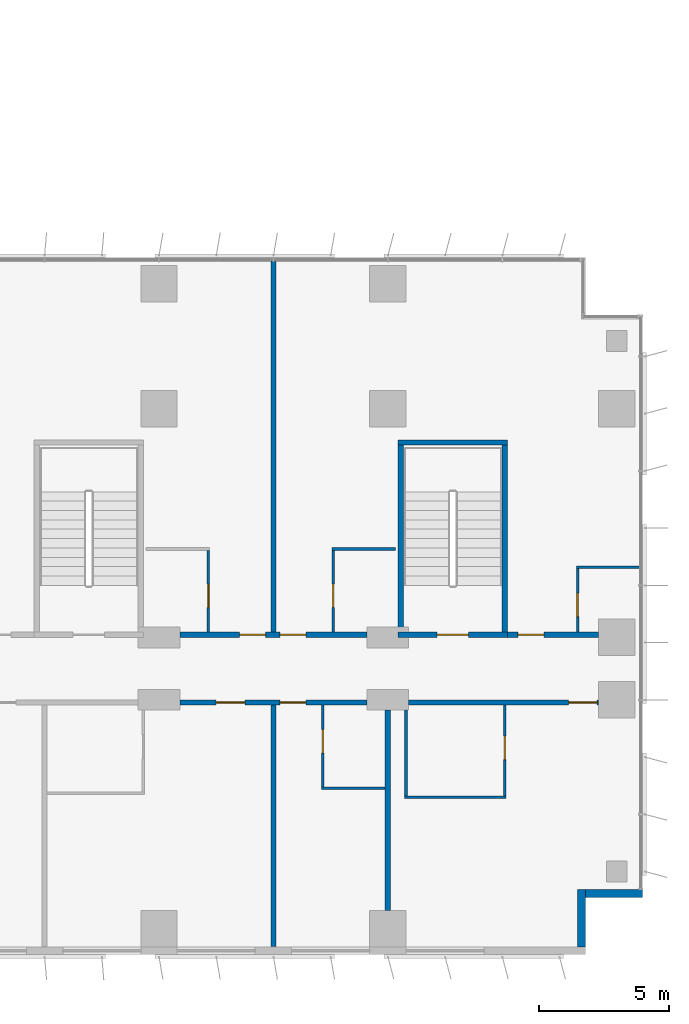
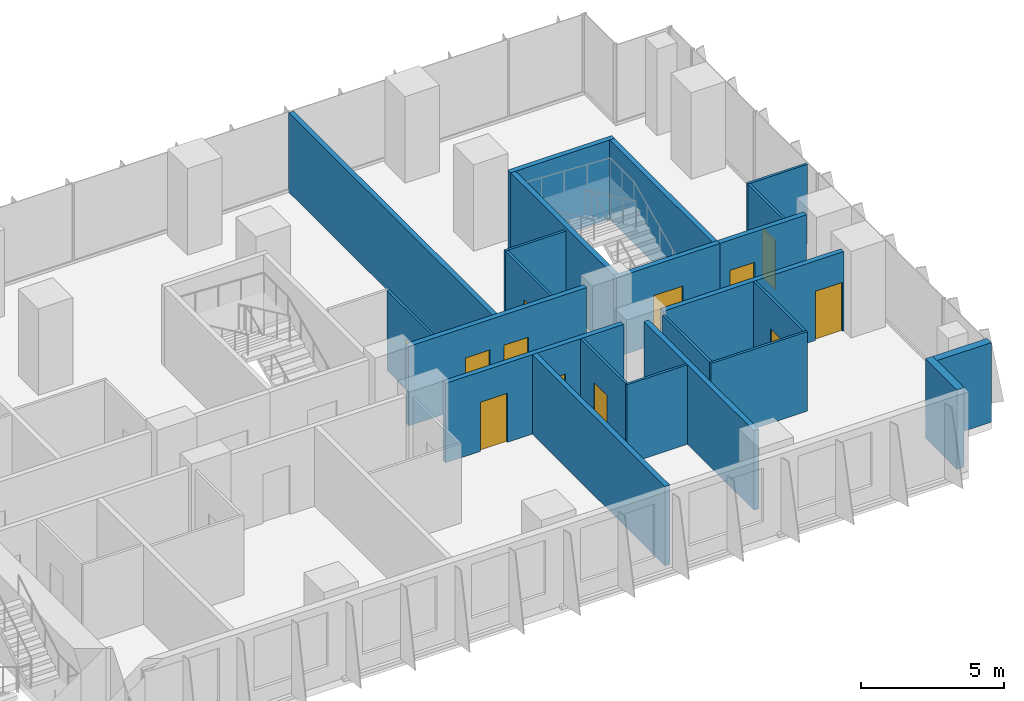
# One storey, part 18 of 24: 23 walls, 12 doors, 12 openings.
"""IFC4 building model written with IfcOpenShell, lengths in metres."""

from ifc_helpers import new_model, si_unit, direction, frame, frame_2d, origin, place, context, subcontext, project, spatial, rectangle, extrude, material, layer, layer_set, type_object, element, fill, save


model = new_model("IFC4")

# Units and contexts
model_context = context("Model", 3, precision=1e-05, world=origin(), true_north=direction((0.0, 1.0)))
body_context = subcontext(model_context, "Body", "Model", "MODEL_VIEW")
ifc_project = project(units=[si_unit("LENGTHUNIT", "METRE"), si_unit("AREAUNIT", "SQUARE_METRE"), si_unit("VOLUMEUNIT", "CUBIC_METRE"), si_unit("PLANEANGLEUNIT", "RADIAN"), si_unit("MASSUNIT", "GRAM", prefix="KILO")], contexts=[model_context])

# Site, building, storey
site_placement = place(None, origin())
site = spatial("IfcSite", under=ifc_project, at=site_placement, CompositionType="ELEMENT")
building_placement = place(site_placement, origin())
building = spatial("IfcBuilding", under=site, at=building_placement, Name="Kemantara Hotel Tower", CompositionType="ELEMENT")
storey_placement = place(building_placement, frame((0.0, 0.0, 59.89990234375)))
storey = spatial("IfcBuildingStorey", under=building, at=storey_placement, Name="L13", CompositionType="ELEMENT", Elevation=59.89990234375)

# Walls
ifc_material_1 = material(Name="Bronze anodised aluminium cladding on insulated steel stud wall", Category="steel")
ifc_layer_1 = layer(ifc_material_1, 0.300048828125)
ifc_layer_set_1 = layer_set([ifc_layer_1], Name="Bronze anodised aluminium cladding on insulated steel stud wall")
wall_type_1 = type_object("IfcWallType", Name="BRONZE METAL-CLAD EXTERNAL WALL 300", PredefinedType="STANDARD", material=ifc_layer_set_1)
for number, where, z_axis, x_axis, name in (
    (1, (78.85009765625, 0.300048828125, 0.0), (0.0, 0.0, 1.0), (0.0, 1.0, 0.0), "EXTERNAL WALL L13 T1-R02"),
    (2, (79.0, 2.35009765625, 0.0), (0.0, 0.0, 1.0), (1.0, 0.0, 0.0), "EXTERNAL WALL L13 T1-R03"),
):
    element("IfcWall", number, at=place(storey_placement, frame(where, z_axis=z_axis, x_axis=x_axis)), inside=storey, type_object=wall_type_1, Name=name, PredefinedType="STANDARD", context=body_context, shape_type="SweptSolid", body=[
        extrude(rectangle(XDim=2.199951171875, YDim=0.300048828125, at=frame_2d((1.10009765625, 0.0))), origin(), (0.0, 0.0, 1.0), 3.400146484375),
    ])

# Wall, openings, doors
ifc_material_2 = material(Name="Gypsum board partition, steel studs and mineral wool, 200 mm", Category="steel")
ifc_layer_2 = layer(ifc_material_2, 0.199951171875)
ifc_layer_set_2 = layer_set([ifc_layer_2], Name="Gypsum board partition, steel studs and mineral wool, 200 mm")
wall_type_2 = type_object("IfcWallType", Name="CORRIDOR WALL 200", PredefinedType="PARTITIONING", material=ifc_layer_set_2)
wall_1_placement = place(storey_placement, frame((70.599853515625, 9.699951171875, 0.0), z_axis=(0.0, 0.0, 1.0), x_axis=(-1.0, 0.0, 0.0)))
wall_1 = element("IfcWall", 3, at=wall_1_placement, inside=storey, type_object=wall_type_2, Name="CORRIDOR WALL 200 003", PredefinedType="PARTITIONING", context=body_context, shape_type="SweptSolid", body=[
    extrude(rectangle(XDim=7.19970703125, YDim=0.199951171875, at=frame_2d((3.599853515625, 0.0))), origin(), (0.0, 0.0, 1.0), 3.400146484375),
])
opening_1_placement = place(wall_1_placement, frame((4.699951171875, 0.0, 0.0)))
opening_1 = element("IfcOpeningElement", 4, at=opening_1_placement, cuts=wall_1, Name="Opening F04-005", PredefinedType="OPENING", context=body_context, shape_type="SweptSolid", body=[
    extrude(rectangle(XDim=1.10009765625, YDim=2.10009765625, at=frame_2d((0.550048828125, 1.050048828125))), frame((0.0, 0.10986328125, 0.0), z_axis=(0.0, -1.0, 0.0), x_axis=(1.0, 0.0, 0.0)), (0.0, 0.0, 1.0), 0.219970703125),
])
opening_2_placement = place(wall_1_placement, frame((2.349853515625, 0.0, 0.0)))
opening_2 = element("IfcOpeningElement", 5, at=opening_2_placement, cuts=wall_1, Name="Opening F04-007", PredefinedType="OPENING", context=body_context, shape_type="SweptSolid", body=[
    extrude(rectangle(XDim=1.0, YDim=2.10009765625, at=frame_2d((0.5, 1.050048828125))), frame((0.0, 0.10986328125, 0.0), z_axis=(0.0, -1.0, 0.0), x_axis=(1.0, 0.0, 0.0)), (0.0, 0.0, 1.0), 0.219970703125),
])
ifc_material_3 = material(Name="Hardwood veneer door leaf with steel frame", Category="steel")
door_type_1 = type_object("IfcDoorType", Name="GUEST ROOM DOOR 1000 X 2100 FD30S", OperationType="NOTDEFINED", PredefinedType="DOOR", material=ifc_material_3)
door_1_placement = place(opening_2_placement, origin())
door_1 = element("IfcDoor", 6, at=door_1_placement, inside=storey, type_object=door_type_1, Name="GUEST ROOM DOOR F04-007", OperationType="SINGLE_SWING_RIGHT", OverallHeight=2.10009765625, OverallWidth=1.0, PredefinedType="DOOR", context=body_context, shape_type="SweptSolid", body=[
    extrude(rectangle(XDim=1.0, YDim=2.10009765625, at=frame_2d((0.5, 1.050048828125))), frame((0.0, 0.02490234375, 0.0), z_axis=(0.0, -1.0, 0.0), x_axis=(1.0, 0.0, 0.0)), (0.0, 0.0, 1.0), 0.050048828125),
])
fill(opening_2, door_1)
door_type_2 = type_object("IfcDoorType", Name="SUITE ENTRANCE DOOR 1100 X 2100 FD30S", OperationType="NOTDEFINED", PredefinedType="DOOR", material=ifc_material_3)
door_2_placement = place(opening_1_placement, origin())
door_2 = element("IfcDoor", 7, at=door_2_placement, inside=storey, type_object=door_type_2, Name="SUITE ENTRANCE DOOR F04-005", OperationType="SINGLE_SWING_LEFT", OverallHeight=2.10009765625, OverallWidth=1.10009765625, PredefinedType="DOOR", context=body_context, shape_type="SweptSolid", body=[
    extrude(rectangle(XDim=1.10009765625, YDim=2.10009765625, at=frame_2d((0.550048828125, 1.050048828125))), frame((0.0, 0.02490234375, 0.0), z_axis=(0.0, -1.0, 0.0), x_axis=(1.0, 0.0, 0.0)), (0.0, 0.0, 1.0), 0.050048828125),
])
fill(opening_1, door_2)

# Wall, opening, door
wall_2_placement = place(storey_placement, frame((79.5, 9.699951171875, 0.0), z_axis=(0.0, 0.0, 1.0), x_axis=(-1.0, 0.0, 0.0)))
wall_2 = element("IfcWall", 8, at=wall_2_placement, inside=storey, type_object=wall_type_2, Name="CORRIDOR WALL 200 004", PredefinedType="PARTITIONING", context=body_context, shape_type="SweptSolid", body=[
    extrude(rectangle(XDim=7.2998046875, YDim=0.199951171875, at=frame_2d((3.64990234375, 0.0))), origin(), (0.0, 0.0, 1.0), 3.400146484375),
])
opening_3_placement = place(wall_2_placement, frame((0.0498046875, 0.0, 0.0)))
opening_3 = element("IfcOpeningElement", 9, at=opening_3_placement, cuts=wall_2, Name="Opening F04-009", PredefinedType="OPENING", context=body_context, shape_type="SweptSolid", body=[
    extrude(rectangle(XDim=1.10009765625, YDim=2.10009765625, at=frame_2d((0.550048828125, 1.050048828125))), frame((0.0, 0.10986328125, 0.0), z_axis=(0.0, -1.0, 0.0), x_axis=(1.0, 0.0, 0.0)), (0.0, 0.0, 1.0), 0.219970703125),
])
door_3_placement = place(opening_3_placement, origin())
door_3 = element("IfcDoor", 10, at=door_3_placement, inside=storey, type_object=door_type_2, Name="SUITE ENTRANCE DOOR F04-009", OperationType="SINGLE_SWING_LEFT", OverallHeight=2.10009765625, OverallWidth=1.10009765625, PredefinedType="DOOR", context=body_context, shape_type="SweptSolid", body=[
    extrude(rectangle(XDim=1.10009765625, YDim=2.10009765625, at=frame_2d((0.550048828125, 1.050048828125))), frame((0.0, 0.02490234375, 0.0), z_axis=(0.0, -1.0, 0.0), x_axis=(1.0, 0.0, 0.0)), (0.0, 0.0, 1.0), 0.050048828125),
])
fill(opening_3, door_3)

# Wall, openings, doors
wall_3_placement = place(storey_placement, frame((63.400146484375, 12.300048828125, 0.0), z_axis=(0.0, 0.0, 1.0), x_axis=(1.0, 0.0, 0.0)))
wall_3 = element("IfcWall", 11, at=wall_3_placement, inside=storey, type_object=wall_type_2, Name="CORRIDOR WALL 200 016", PredefinedType="PARTITIONING", context=body_context, shape_type="SweptSolid", body=[
    extrude(rectangle(XDim=7.19970703125, YDim=0.199951171875, at=frame_2d((3.599853515625, 0.0))), origin(), (0.0, 0.0, 1.0), 3.400146484375),
])
opening_4_placement = place(wall_3_placement, frame((2.2998046875, 0.0, 0.0)))
opening_4 = element("IfcOpeningElement", 12, at=opening_4_placement, cuts=wall_3, Name="Opening F04-023", PredefinedType="OPENING", context=body_context, shape_type="SweptSolid", body=[
    extrude(rectangle(XDim=1.0, YDim=2.10009765625, at=frame_2d((0.5, 1.050048828125))), frame((0.0, 0.10986328125, 0.0), z_axis=(0.0, -1.0, 0.0), x_axis=(1.0, 0.0, 0.0)), (0.0, 0.0, 1.0), 0.219970703125),
])
opening_5_placement = place(wall_3_placement, frame((3.849853515625, 0.0, 0.0)))
opening_5 = element("IfcOpeningElement", 13, at=opening_5_placement, cuts=wall_3, Name="Opening F04-025", PredefinedType="OPENING", context=body_context, shape_type="SweptSolid", body=[
    extrude(rectangle(XDim=1.0, YDim=2.10009765625, at=frame_2d((0.5, 1.050048828125))), frame((0.0, 0.10986328125, 0.0), z_axis=(0.0, -1.0, 0.0), x_axis=(1.0, 0.0, 0.0)), (0.0, 0.0, 1.0), 0.219970703125),
])
door_4_placement = place(opening_4_placement, origin())
door_4 = element("IfcDoor", 14, at=door_4_placement, inside=storey, type_object=door_type_1, Name="GUEST ROOM DOOR F04-023", OperationType="SINGLE_SWING_RIGHT", OverallHeight=2.10009765625, OverallWidth=1.0, PredefinedType="DOOR", context=body_context, shape_type="SweptSolid", body=[
    extrude(rectangle(XDim=1.0, YDim=2.10009765625, at=frame_2d((0.5, 1.050048828125))), frame((0.0, 0.02490234375, 0.0), z_axis=(0.0, -1.0, 0.0), x_axis=(1.0, 0.0, 0.0)), (0.0, 0.0, 1.0), 0.050048828125),
])
fill(opening_4, door_4)
door_5_placement = place(opening_5_placement, origin())
door_5 = element("IfcDoor", 15, at=door_5_placement, inside=storey, type_object=door_type_1, Name="GUEST ROOM DOOR F04-025", OperationType="SINGLE_SWING_LEFT", OverallHeight=2.10009765625, OverallWidth=1.0, PredefinedType="DOOR", context=body_context, shape_type="SweptSolid", body=[
    extrude(rectangle(XDim=1.0, YDim=2.10009765625, at=frame_2d((0.5, 1.050048828125))), frame((0.0, 0.02490234375, 0.0), z_axis=(0.0, -1.0, 0.0), x_axis=(1.0, 0.0, 0.0)), (0.0, 0.0, 1.0), 0.050048828125),
])
fill(opening_5, door_5)

# Wall, opening, door
wall_4_placement = place(storey_placement, frame((76.0, 12.300048828125, 0.0), z_axis=(0.0, 0.0, 1.0), x_axis=(1.0, 0.0, 0.0)))
wall_4 = element("IfcWall", 16, at=wall_4_placement, inside=storey, type_object=wall_type_2, Name="CORRIDOR WALL 200 017", PredefinedType="PARTITIONING", context=body_context, shape_type="SweptSolid", body=[
    extrude(rectangle(XDim=3.5, YDim=0.199951171875, at=frame_2d((1.75, 0.0))), origin(), (0.0, 0.0, 1.0), 3.400146484375),
])
opening_6_placement = place(wall_4_placement, frame((0.39990234375, 0.0, 0.0)))
opening_6 = element("IfcOpeningElement", 17, at=opening_6_placement, cuts=wall_4, Name="Opening F04-027", PredefinedType="OPENING", context=body_context, shape_type="SweptSolid", body=[
    extrude(rectangle(XDim=1.0, YDim=2.10009765625, at=frame_2d((0.5, 1.050048828125))), frame((0.0, 0.10986328125, 0.0), z_axis=(0.0, -1.0, 0.0), x_axis=(1.0, 0.0, 0.0)), (0.0, 0.0, 1.0), 0.219970703125),
])
door_6_placement = place(opening_6_placement, origin())
door_6 = element("IfcDoor", 18, at=door_6_placement, inside=storey, type_object=door_type_1, Name="GUEST ROOM DOOR F04-027", OperationType="SINGLE_SWING_LEFT", OverallHeight=2.10009765625, OverallWidth=1.0, PredefinedType="DOOR", context=body_context, shape_type="SweptSolid", body=[
    extrude(rectangle(XDim=1.0, YDim=2.10009765625, at=frame_2d((0.5, 1.050048828125))), frame((0.0, 0.02490234375, 0.0), z_axis=(0.0, -1.0, 0.0), x_axis=(1.0, 0.0, 0.0)), (0.0, 0.0, 1.0), 0.050048828125),
])
fill(opening_6, door_6)

ifc_material_4 = material(Name="Concrete fc 40 MPa", Category="concrete")
ifc_layer_3 = layer(ifc_material_4, 0.199951171875)
ifc_layer_set_3 = layer_set([ifc_layer_3], Name="Concrete fc 40 MPa")
wall_type_3 = type_object("IfcWallType", Name="Concrete stair wall 200 mm", PredefinedType="SHEAR", material=ifc_layer_set_3)
wall_5_placement = place(storey_placement, frame((71.800048828125, 12.300048828125, 0.0), z_axis=(0.0, 0.0, 1.0), x_axis=(1.0, 0.0, 0.0)))
wall_5 = element("IfcWall", 19, at=wall_5_placement, inside=storey, type_object=wall_type_3, Name="Stair ST5 enclosure wall with door", PredefinedType="SHEAR", context=body_context, shape_type="SweptSolid", body=[
    extrude(rectangle(XDim=4.199951171875, YDim=0.199951171875, at=frame_2d((2.10009765625, 0.0))), origin(), (0.0, 0.0, 1.0), 3.400146484375),
])
opening_7_placement = place(wall_5_placement, frame((1.5, 0.0, 0.0)))
opening_7 = element("IfcOpeningElement", 20, at=opening_7_placement, cuts=wall_5, Name="Opening ST5-C", PredefinedType="OPENING", context=body_context, shape_type="SweptSolid", body=[
    extrude(rectangle(XDim=1.199951171875, YDim=2.10009765625, at=frame_2d((0.60009765625, 1.050048828125))), frame((0.0, 0.10986328125, 0.0), z_axis=(0.0, -1.0, 0.0), x_axis=(1.0, 0.0, 0.0)), (0.0, 0.0, 1.0), 0.219970703125),
])
ifc_material_5 = material(Name="Steel fire door", Category="steel")
door_type_3 = type_object("IfcDoorType", Name="Fire door FD90 1200 x 2100", OperationType="NOTDEFINED", PredefinedType="DOOR", material=ifc_material_5)
door_7_placement = place(opening_7_placement, origin())
door_7 = element("IfcDoor", 21, at=door_7_placement, inside=storey, type_object=door_type_3, Name="Stair ST5 door", OperationType="SINGLE_SWING_RIGHT", OverallHeight=2.10009765625, OverallWidth=1.199951171875, PredefinedType="DOOR", context=body_context, shape_type="SweptSolid", body=[
    extrude(rectangle(XDim=1.199951171875, YDim=2.10009765625, at=frame_2d((0.60009765625, 1.050048828125))), frame((0.0, 0.02490234375, 0.0), z_axis=(0.0, -1.0, 0.0), x_axis=(1.0, 0.0, 0.0)), (0.0, 0.0, 1.0), 0.050048828125),
])
fill(opening_7, door_7)

# Walls
wall_6_placement = place(storey_placement, frame((71.800048828125, 19.699951171875, 0.0), z_axis=(0.0, 0.0, 1.0), x_axis=(1.0, 0.0, 0.0)))
element("IfcWall", 22, at=wall_6_placement, inside=storey, type_object=wall_type_3, Name="Stair ST5 enclosure wall N", PredefinedType="SHEAR", context=body_context, shape_type="SweptSolid", body=[
    extrude(rectangle(XDim=4.199951171875, YDim=0.199951171875, at=frame_2d((2.10009765625, 0.0))), origin(), (0.0, 0.0, 1.0), 3.400146484375),
])
for number, where, z_axis, x_axis, name in (
    (23, (71.89990234375, 12.39990234375, 0.0), (0.0, 0.0, 1.0), (0.0, 1.0, 0.0), "Stair ST5 enclosure wall W"),
    (24, (75.89990234375, 12.39990234375, 0.0), (0.0, 0.0, 1.0), (0.0, 1.0, 0.0), "Stair ST5 enclosure wall E"),
):
    element("IfcWall", number, at=place(storey_placement, frame(where, z_axis=z_axis, x_axis=x_axis)), inside=storey, type_object=wall_type_3, Name=name, PredefinedType="SHEAR", context=body_context, shape_type="SweptSolid", body=[
        extrude(rectangle(XDim=7.2001953125, YDim=0.199951171875, at=frame_2d((3.60009765625, 0.0))), origin(), (0.0, 0.0, 1.0), 3.400146484375),
    ])
ifc_layer_4 = layer(ifc_material_2, 0.199951171875)
ifc_layer_set_4 = layer_set([ifc_layer_4], Name="Gypsum board partition, steel studs and mineral wool, 200 mm")
wall_type_4 = type_object("IfcWallType", Name="GUEST ROOM PARTY WALL 200", PredefinedType="PARTITIONING", material=ifc_layer_set_4)
wall_7_placement = place(storey_placement, frame((67.0, 0.31005859375, 0.0), z_axis=(0.0, 0.0, 1.0), x_axis=(0.0, 1.0, 0.0)))
element("IfcWall", 25, at=wall_7_placement, inside=storey, type_object=wall_type_4, Name="GUEST ROOM PARTY WALL 200 008", PredefinedType="PARTITIONING", context=body_context, shape_type="SweptSolid", body=[
    extrude(rectangle(XDim=9.2900390625, YDim=0.199951171875, at=frame_2d((4.64501953125, 0.0))), origin(), (0.0, 0.0, 1.0), 3.400146484375),
])
wall_8_placement = place(storey_placement, frame((67.0, 12.39990234375, 0.0), z_axis=(0.0, 0.0, 1.0), x_axis=(0.0, 1.0, 0.0)))
element("IfcWall", 26, at=wall_8_placement, inside=storey, type_object=wall_type_4, Name="GUEST ROOM PARTY WALL 200 009", PredefinedType="PARTITIONING", context=body_context, shape_type="SweptSolid", body=[
    extrude(rectangle(XDim=14.27001953125, YDim=0.199951171875, at=frame_2d((7.135009765625, 0.0))), origin(), (0.0, 0.0, 1.0), 3.400146484375),
])
wall_9_placement = place(storey_placement, frame((71.39990234375, 1.7001953125, 0.0), z_axis=(0.0, 0.0, 1.0), x_axis=(0.0, 1.0, 0.0)))
element("IfcWall", 27, at=wall_9_placement, inside=storey, type_object=wall_type_4, Name="GUEST ROOM PARTY WALL 200 010", PredefinedType="PARTITIONING", context=body_context, shape_type="SweptSolid", body=[
    extrude(rectangle(XDim=7.69970703125, YDim=0.199951171875, at=frame_2d((3.849853515625, 0.0))), origin(), (0.0, 0.0, 1.0), 3.400146484375),
])
ifc_material_6 = material(Name="Gypsum board partition on steel studs, 100 mm", Category="steel")
ifc_layer_5 = layer(ifc_material_6, 0.10009765625)
ifc_layer_set_5 = layer_set([ifc_layer_5], Name="Gypsum board partition on steel studs, 100 mm")
wall_type_5 = type_object("IfcWallType", Name="ROOM PARTITION 100", PredefinedType="PARTITIONING", material=ifc_layer_set_5)
wall_10_placement = place(storey_placement, frame((68.85009765625, 6.39990234375, 0.0), z_axis=(0.0, 0.0, 1.0), x_axis=(1.0, 0.0, 0.0)))
element("IfcWall", 28, at=wall_10_placement, inside=storey, type_object=wall_type_5, Name="ROOM PARTITION 100 066", PredefinedType="PARTITIONING", context=body_context, shape_type="SweptSolid", body=[
    extrude(rectangle(XDim=2.449951171875, YDim=0.10009765625, at=frame_2d((1.22509765625, 0.0))), origin(), (0.0, 0.0, 1.0), 3.400146484375),
])

# Wall, opening, door
wall_11_placement = place(storey_placement, frame((68.89990234375, 9.60009765625, 0.0), z_axis=(0.0, 0.0, 1.0), x_axis=(0.0, -1.0, 0.0)))
wall_11 = element("IfcWall", 29, at=wall_11_placement, inside=storey, type_object=wall_type_5, Name="ROOM PARTITION 100 073", PredefinedType="PARTITIONING", context=body_context, shape_type="SweptSolid", body=[
    extrude(rectangle(XDim=3.150146484375, YDim=0.10009765625, at=frame_2d((1.5751953125, 0.0))), origin(), (0.0, 0.0, 1.0), 3.400146484375),
])
opening_8_placement = place(wall_11_placement, frame((0.949951171875, 0.0, 0.0)))
opening_8 = element("IfcOpeningElement", 30, at=opening_8_placement, cuts=wall_11, Name="Opening F04-008", PredefinedType="OPENING", context=body_context, shape_type="SweptSolid", body=[
    extrude(rectangle(XDim=0.89990234375, YDim=2.10009765625, at=frame_2d((0.449951171875, 1.050048828125))), frame((0.0, 0.06005859375, 0.0), z_axis=(0.0, -1.0, 0.0), x_axis=(1.0, 0.0, 0.0)), (0.0, 0.0, 1.0), 0.1201171875),
])
door_type_4 = type_object("IfcDoorType", Name="BATHROOM DOOR 900 X 2100", OperationType="NOTDEFINED", PredefinedType="DOOR", material=ifc_material_3)
door_8_placement = place(opening_8_placement, origin())
door_8 = element("IfcDoor", 31, at=door_8_placement, inside=storey, type_object=door_type_4, Name="BATHROOM DOOR F04-008", OperationType="SINGLE_SWING_LEFT", OverallHeight=2.10009765625, OverallWidth=0.89990234375, PredefinedType="DOOR", context=body_context, shape_type="SweptSolid", body=[
    extrude(rectangle(XDim=0.89990234375, YDim=2.10009765625, at=frame_2d((0.449951171875, 1.050048828125))), frame((0.0, 0.02490234375, 0.0), z_axis=(0.0, -1.0, 0.0), x_axis=(1.0, 0.0, 0.0)), (0.0, 0.0, 1.0), 0.050048828125),
])
fill(opening_8, door_8)

# Walls
wall_12_placement = place(storey_placement, frame((72.050048828125, 6.050048828125, 0.0), z_axis=(0.0, 0.0, 1.0), x_axis=(1.0, 0.0, 0.0)))
element("IfcWall", 32, at=wall_12_placement, inside=storey, type_object=wall_type_5, Name="ROOM PARTITION 100 074", PredefinedType="PARTITIONING", context=body_context, shape_type="SweptSolid", body=[
    extrude(rectangle(XDim=3.89990234375, YDim=0.10009765625, at=frame_2d((1.949951171875, 0.0))), origin(), (0.0, 0.0, 1.0), 3.400146484375),
])
wall_13_placement = place(storey_placement, frame((72.10009765625, 6.10009765625, 0.0), z_axis=(0.0, 0.0, 1.0), x_axis=(0.0, 1.0, 0.0)))
element("IfcWall", 33, at=wall_13_placement, inside=storey, type_object=wall_type_5, Name="ROOM PARTITION 100 075", PredefinedType="PARTITIONING", context=body_context, shape_type="SweptSolid", body=[
    extrude(rectangle(XDim=3.2998046875, YDim=0.10009765625, at=frame_2d((1.64990234375, 0.0))), origin(), (0.0, 0.0, 1.0), 3.400146484375),
])

# Wall, opening, door
wall_14_placement = place(storey_placement, frame((75.89990234375, 6.10009765625, 0.0), z_axis=(0.0, 0.0, 1.0), x_axis=(0.0, 1.0, 0.0)))
wall_14 = element("IfcWall", 34, at=wall_14_placement, inside=storey, type_object=wall_type_5, Name="ROOM PARTITION 100 076", PredefinedType="PARTITIONING", context=body_context, shape_type="SweptSolid", body=[
    extrude(rectangle(XDim=3.5, YDim=0.10009765625, at=frame_2d((1.75, 0.0))), origin(), (0.0, 0.0, 1.0), 3.400146484375),
])
opening_9_placement = place(wall_14_placement, frame((1.39990234375, 0.0, 0.0)))
opening_9 = element("IfcOpeningElement", 35, at=opening_9_placement, cuts=wall_14, Name="Opening F04-010", PredefinedType="OPENING", context=body_context, shape_type="SweptSolid", body=[
    extrude(rectangle(XDim=0.89990234375, YDim=2.10009765625, at=frame_2d((0.449951171875, 1.050048828125))), frame((0.0, 0.06005859375, 0.0), z_axis=(0.0, -1.0, 0.0), x_axis=(1.0, 0.0, 0.0)), (0.0, 0.0, 1.0), 0.1201171875),
])
door_9_placement = place(opening_9_placement, origin())
door_9 = element("IfcDoor", 36, at=door_9_placement, inside=storey, type_object=door_type_4, Name="BATHROOM DOOR F04-010", OperationType="SINGLE_SWING_RIGHT", OverallHeight=2.10009765625, OverallWidth=0.89990234375, PredefinedType="DOOR", context=body_context, shape_type="SweptSolid", body=[
    extrude(rectangle(XDim=0.89990234375, YDim=2.10009765625, at=frame_2d((0.449951171875, 1.050048828125))), frame((0.0, 0.02490234375, 0.0), z_axis=(0.0, -1.0, 0.0), x_axis=(1.0, 0.0, 0.0)), (0.0, 0.0, 1.0), 0.050048828125),
])
fill(opening_9, door_9)

# Wall
wall_15_placement = place(storey_placement, frame((69.25, 15.60009765625, 0.0), z_axis=(0.0, 0.0, 1.0), x_axis=(1.0, 0.0, 0.0)))
element("IfcWall", 37, at=wall_15_placement, inside=storey, type_object=wall_type_5, Name="ROOM PARTITION 100 084", PredefinedType="PARTITIONING", context=body_context, shape_type="SweptSolid", body=[
    extrude(rectangle(XDim=2.449951171875, YDim=0.10009765625, at=frame_2d((1.22509765625, 0.0))), origin(), (0.0, 0.0, 1.0), 3.400146484375),
])

# Wall, opening, door
wall_16_placement = place(storey_placement, frame((64.5, 12.39990234375, 0.0), z_axis=(0.0, 0.0, 1.0), x_axis=(0.0, 1.0, 0.0)))
wall_16 = element("IfcWall", 38, at=wall_16_placement, inside=storey, type_object=wall_type_5, Name="ROOM PARTITION 100 090", PredefinedType="PARTITIONING", context=body_context, shape_type="SweptSolid", body=[
    extrude(rectangle(XDim=3.150146484375, YDim=0.10009765625, at=frame_2d((1.5751953125, 0.0))), origin(), (0.0, 0.0, 1.0), 3.400146484375),
])
opening_10_placement = place(wall_16_placement, frame((0.949951171875, 0.0, 0.0)))
opening_10 = element("IfcOpeningElement", 39, at=opening_10_placement, cuts=wall_16, Name="Opening F04-024", PredefinedType="OPENING", context=body_context, shape_type="SweptSolid", body=[
    extrude(rectangle(XDim=0.89990234375, YDim=2.10009765625, at=frame_2d((0.449951171875, 1.050048828125))), frame((0.0, 0.06005859375, 0.0), z_axis=(0.0, -1.0, 0.0), x_axis=(1.0, 0.0, 0.0)), (0.0, 0.0, 1.0), 0.1201171875),
])
door_10_placement = place(opening_10_placement, origin())
door_10 = element("IfcDoor", 40, at=door_10_placement, inside=storey, type_object=door_type_4, Name="BATHROOM DOOR F04-024", OperationType="SINGLE_SWING_LEFT", OverallHeight=2.10009765625, OverallWidth=0.89990234375, PredefinedType="DOOR", context=body_context, shape_type="SweptSolid", body=[
    extrude(rectangle(XDim=0.89990234375, YDim=2.10009765625, at=frame_2d((0.449951171875, 1.050048828125))), frame((0.0, 0.02490234375, 0.0), z_axis=(0.0, -1.0, 0.0), x_axis=(1.0, 0.0, 0.0)), (0.0, 0.0, 1.0), 0.050048828125),
])
fill(opening_10, door_10)

wall_17_placement = place(storey_placement, frame((69.300048828125, 15.550048828125, 0.0), z_axis=(0.0, 0.0, 1.0), x_axis=(0.0, -1.0, 0.0)))
wall_17 = element("IfcWall", 41, at=wall_17_placement, inside=storey, type_object=wall_type_5, Name="ROOM PARTITION 100 091", PredefinedType="PARTITIONING", context=body_context, shape_type="SweptSolid", body=[
    extrude(rectangle(XDim=3.150146484375, YDim=0.10009765625, at=frame_2d((1.5751953125, 0.0))), origin(), (0.0, 0.0, 1.0), 3.400146484375),
])
opening_11_placement = place(wall_17_placement, frame((1.300048828125, 0.0, 0.0)))
opening_11 = element("IfcOpeningElement", 42, at=opening_11_placement, cuts=wall_17, Name="Opening F04-026", PredefinedType="OPENING", context=body_context, shape_type="SweptSolid", body=[
    extrude(rectangle(XDim=0.89990234375, YDim=2.10009765625, at=frame_2d((0.449951171875, 1.050048828125))), frame((0.0, 0.06005859375, 0.0), z_axis=(0.0, -1.0, 0.0), x_axis=(1.0, 0.0, 0.0)), (0.0, 0.0, 1.0), 0.1201171875),
])
door_11_placement = place(opening_11_placement, origin())
door_11 = element("IfcDoor", 43, at=door_11_placement, inside=storey, type_object=door_type_4, Name="BATHROOM DOOR F04-026", OperationType="SINGLE_SWING_RIGHT", OverallHeight=2.10009765625, OverallWidth=0.89990234375, PredefinedType="DOOR", context=body_context, shape_type="SweptSolid", body=[
    extrude(rectangle(XDim=0.89990234375, YDim=2.10009765625, at=frame_2d((0.449951171875, 1.050048828125))), frame((0.0, 0.02490234375, 0.0), z_axis=(0.0, -1.0, 0.0), x_axis=(1.0, 0.0, 0.0)), (0.0, 0.0, 1.0), 0.050048828125),
])
fill(opening_11, door_11)

# Wall
wall_18_placement = place(storey_placement, frame((78.64990234375, 14.89990234375, 0.0), z_axis=(0.0, 0.0, 1.0), x_axis=(1.0, 0.0, 0.0)))
element("IfcWall", 44, at=wall_18_placement, inside=storey, type_object=wall_type_5, Name="ROOM PARTITION 100 092", PredefinedType="PARTITIONING", context=body_context, shape_type="SweptSolid", body=[
    extrude(rectangle(XDim=2.420166015625, YDim=0.10009765625, at=frame_2d((1.2099609375, 0.0))), origin(), (0.0, 0.0, 1.0), 3.400146484375),
])

# Wall, opening, door
wall_19_placement = place(storey_placement, frame((78.699951171875, 14.85009765625, 0.0), z_axis=(0.0, 0.0, 1.0), x_axis=(0.0, -1.0, 0.0)))
wall_19 = element("IfcWall", 45, at=wall_19_placement, inside=storey, type_object=wall_type_5, Name="ROOM PARTITION 100 093", PredefinedType="PARTITIONING", context=body_context, shape_type="SweptSolid", body=[
    extrude(rectangle(XDim=2.4501953125, YDim=0.10009765625, at=frame_2d((1.22509765625, 0.0))), origin(), (0.0, 0.0, 1.0), 3.400146484375),
])
opening_12_placement = place(wall_19_placement, frame((0.949951171875, 0.0, 0.0)))
opening_12 = element("IfcOpeningElement", 46, at=opening_12_placement, cuts=wall_19, Name="Opening F04-028", PredefinedType="OPENING", context=body_context, shape_type="SweptSolid", body=[
    extrude(rectangle(XDim=0.89990234375, YDim=2.10009765625, at=frame_2d((0.449951171875, 1.050048828125))), frame((0.0, 0.06005859375, 0.0), z_axis=(0.0, -1.0, 0.0), x_axis=(1.0, 0.0, 0.0)), (0.0, 0.0, 1.0), 0.1201171875),
])
door_12_placement = place(opening_12_placement, origin())
door_12 = element("IfcDoor", 47, at=door_12_placement, inside=storey, type_object=door_type_4, Name="BATHROOM DOOR F04-028", OperationType="SINGLE_SWING_RIGHT", OverallHeight=2.10009765625, OverallWidth=0.89990234375, PredefinedType="DOOR", context=body_context, shape_type="SweptSolid", body=[
    extrude(rectangle(XDim=0.89990234375, YDim=2.10009765625, at=frame_2d((0.449951171875, 1.050048828125))), frame((0.0, 0.02490234375, 0.0), z_axis=(0.0, -1.0, 0.0), x_axis=(1.0, 0.0, 0.0)), (0.0, 0.0, 1.0), 0.050048828125),
])
fill(opening_12, door_12)

save(model, "model.ifc")
